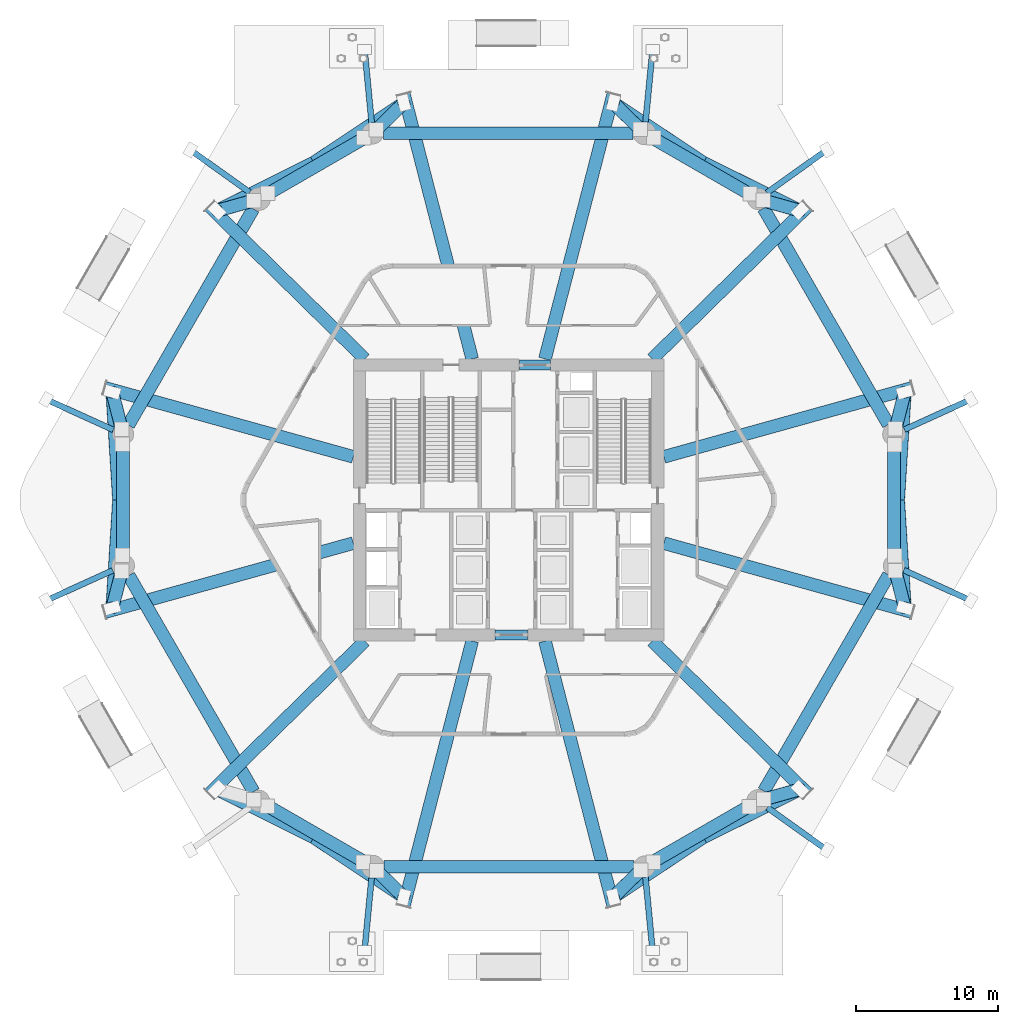
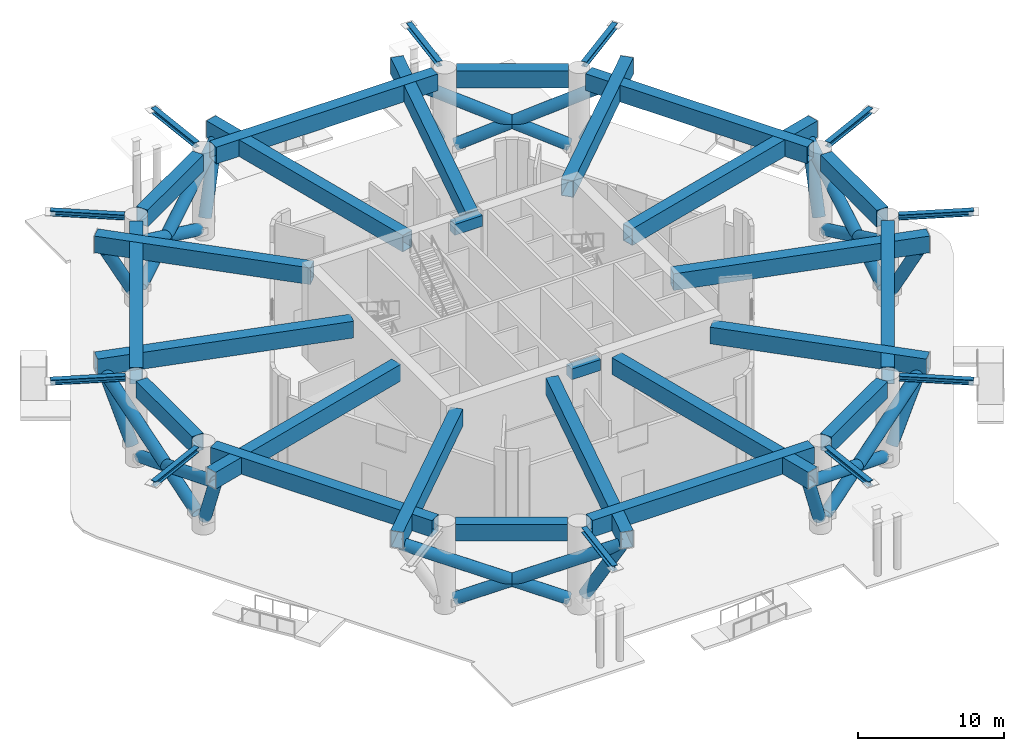
# One storey, part 4 of 17: 37 beams, 23 members.
"""IFC4 building model written with IfcOpenShell, lengths in metres."""

from ifc_helpers import new_model, si_unit, direction, frame, origin, origin_2d, place, context, subcontext, project, spatial, rectangle, hollow_rectangle, hollow_circle, i_section, extrude, material, material_profile, profile_set, type_object, element, save


model = new_model("IFC4")

# Units and contexts
model_context = context("Model", 3, precision=1e-05, world=origin(), true_north=direction((0.0, 1.0)))
body_context = subcontext(model_context, "Body", "Model", "MODEL_VIEW")
ifc_project = project(units=[si_unit("LENGTHUNIT", "METRE"), si_unit("AREAUNIT", "SQUARE_METRE"), si_unit("VOLUMEUNIT", "CUBIC_METRE"), si_unit("PLANEANGLEUNIT", "RADIAN"), si_unit("MASSUNIT", "GRAM", prefix="KILO")], contexts=[model_context])

# Site, building, storey
site_placement = place(None, origin())
site = spatial("IfcSite", under=ifc_project, at=site_placement, CompositionType="ELEMENT")
building_placement = place(site_placement, origin())
building = spatial("IfcBuilding", under=site, at=building_placement, Name="Zuhravey Tower", CompositionType="ELEMENT")
storey_placement = place(building_placement, origin())
storey = spatial("IfcBuildingStorey", under=building, at=storey_placement, Name="L01", CompositionType="ELEMENT", Elevation=0.0)

# Beams
ifc_material_1 = material(Name="Concrete C60/75", Category="concrete")
ifc_material_profile_1 = material_profile(ifc_material_1, rectangle(XDim=0.699951171875, YDim=0.89990234375, at=origin_2d()), Name="RC-700x900")
ifc_profile_set_1 = profile_set([ifc_material_profile_1], Name="Concrete C60/75")
beam_type_1 = type_object("IfcBeamType", Name="Core Coupling Beam RC700x900", PredefinedType="LINTEL", material=ifc_profile_set_1)
beam_1_placement = place(storey_placement, frame((35.052001953125, 22.5, 6.89990234375), z_axis=(1.0, 0.0, 0.0), x_axis=(0.0, 1.0, 0.0)))
element("IfcBeam", 1, at=beam_1_placement, inside=storey, type_object=beam_type_1, Name="L01 CB1 BM-L01-CB-S", PredefinedType="LINTEL", context=body_context, shape_type="SweptSolid", body=[
    extrude(rectangle(XDim=0.699951171875, YDim=0.89990234375, at=origin_2d()), origin(), (0.0, 0.0, 1.0), 2.2958984375),
])
beam_2_placement = place(storey_placement, frame((36.751953125, 41.5, 6.89990234375), z_axis=(1.0, 0.0, 0.0), x_axis=(0.0, 1.0, 0.0)))
element("IfcBeam", 2, at=beam_2_placement, inside=storey, type_object=beam_type_1, Name="L01 CB1 BM-L01-CB-N", PredefinedType="LINTEL", context=body_context, shape_type="SweptSolid", body=[
    extrude(rectangle(XDim=0.699951171875, YDim=0.89990234375, at=origin_2d()), origin(), (0.0, 0.0, 1.0), 2.196044921875),
])
ifc_material_2 = material(Name="Steel SM460", Category="steel")
ifc_material_profile_2 = material_profile(ifc_material_2, i_section(OverallWidth=0.406982421875, OverallDepth=0.427978515625, WebThickness=0.02001953125, FlangeThickness=0.034912109375, at=origin_2d()), Name="H-428x407x20x35")
ifc_profile_set_2 = profile_set([ifc_material_profile_2], Name="Steel SM460")
beam_type_2 = type_object("IfcBeamType", Name="Exoskeleton Node Tie Beam H428x407", PredefinedType="BEAM", material=ifc_profile_set_2)
beam_3_placement = place(storey_placement, frame((63.86376953125, 36.9541015625, 7.135986328125), z_axis=(0.910221070857, 0.414122689753, 0.0), x_axis=(-0.414122689753, 0.910221070857, 0.0)))
element("IfcBeam", 3, at=beam_3_placement, inside=storey, type_object=beam_type_2, Name="L01 Exoskeleton Node Tie NT1-01", PredefinedType="BEAM", context=body_context, shape_type="SweptSolid", body=[
    extrude(i_section(OverallWidth=0.406982421875, OverallDepth=0.427978515625, WebThickness=0.02001953125, FlangeThickness=0.034912109375, at=origin_2d()), origin(), (0.0, 0.0, 1.0), 5.11962890625),
])
beam_4_placement = place(storey_placement, frame((54.181640625, 53.624755859375, 7.135986328125), z_axis=(0.813752616474, 0.581211389411, 0.0), x_axis=(-0.581211389411, 0.813752616474, 0.0)))
element("IfcBeam", 4, at=beam_4_placement, inside=storey, type_object=beam_type_2, Name="L01 Exoskeleton Node Tie NT1-02", PredefinedType="BEAM", context=body_context, shape_type="SweptSolid", body=[
    extrude(i_section(OverallWidth=0.406982421875, OverallDepth=0.427978515625, WebThickness=0.02001953125, FlangeThickness=0.034912109375, at=origin_2d()), origin(), (0.0, 0.0, 1.0), 5.169677734375),
])
beam_5_placement = place(storey_placement, frame((45.6416015625, 58.60791015625, 7.135986328125), z_axis=(0.096424781264, 0.995340274257, 0.0), x_axis=(-0.995340274257, 0.096424781264, 0.0)))
element("IfcBeam", 5, at=beam_5_placement, inside=storey, type_object=beam_type_2, Name="L01 Exoskeleton Node Tie NT1-03", PredefinedType="BEAM", context=body_context, shape_type="SweptSolid", body=[
    extrude(i_section(OverallWidth=0.406982421875, OverallDepth=0.427978515625, WebThickness=0.02001953125, FlangeThickness=0.034912109375, at=origin_2d()), origin(), (0.0, 0.0, 1.0), 5.11962890625),
])
beam_6_placement = place(storey_placement, frame((26.36328125, 58.55810546875, 7.135986328125), z_axis=(-0.096435881761, 0.995339198821, 0.0), x_axis=(-0.995339198821, -0.096435881761, 0.0)))
element("IfcBeam", 6, at=beam_6_placement, inside=storey, type_object=beam_type_2, Name="L01 Exoskeleton Node Tie NT1-04", PredefinedType="BEAM", context=body_context, shape_type="SweptSolid", body=[
    extrude(i_section(OverallWidth=0.406982421875, OverallDepth=0.427978515625, WebThickness=0.02001953125, FlangeThickness=0.034912109375, at=origin_2d()), origin(), (0.0, 0.0, 1.0), 5.169677734375),
])
beam_7_placement = place(storey_placement, frame((17.77783203125, 53.65380859375, 7.135986328125), z_axis=(-0.813762468469, 0.581197595411, 0.0), x_axis=(-0.581197595411, -0.813762468469, 0.0)))
element("IfcBeam", 7, at=beam_7_placement, inside=storey, type_object=beam_type_2, Name="L01 Exoskeleton Node Tie NT1-05", PredefinedType="BEAM", context=body_context, shape_type="SweptSolid", body=[
    extrude(i_section(OverallWidth=0.406982421875, OverallDepth=0.427978515625, WebThickness=0.02001953125, FlangeThickness=0.034912109375, at=origin_2d()), origin(), (0.0, 0.0, 1.0), 5.11962890625),
])
beam_8_placement = place(storey_placement, frame((8.181640625, 36.933349609375, 7.135986328125), z_axis=(-0.910214382491, 0.414137390134, 0.0), x_axis=(-0.414137390134, -0.910214382491, 0.0)))
element("IfcBeam", 8, at=beam_8_placement, inside=storey, type_object=beam_type_2, Name="L01 Exoskeleton Node Tie NT1-06", PredefinedType="BEAM", context=body_context, shape_type="SweptSolid", body=[
    extrude(i_section(OverallWidth=0.406982421875, OverallDepth=0.427978515625, WebThickness=0.02001953125, FlangeThickness=0.034912109375, at=origin_2d()), origin(), (0.0, 0.0, 1.0), 5.16943359375),
])
for number, where, z_axis, x_axis, name in (
    (9, (8.13623046875, 27.0458984375, 7.135986328125), (-0.910221070857, -0.414122689753, 0.0), (0.414122689753, -0.910221070857, 0.0), "L01 Exoskeleton Node Tie NT1-07"),
    (10, (26.3583984375, 5.39208984375, 7.135986328125), (-0.096424781264, -0.995340274257, 0.0), (0.995340274257, -0.096424781264, 0.0), "L01 Exoskeleton Node Tie NT1-09"),
):
    element("IfcBeam", number, at=place(storey_placement, frame(where, z_axis=z_axis, x_axis=x_axis)), inside=storey, type_object=beam_type_2, Name=name, PredefinedType="BEAM", context=body_context, shape_type="SweptSolid", body=[
        extrude(i_section(OverallWidth=0.406982421875, OverallDepth=0.427978515625, WebThickness=0.02001953125, FlangeThickness=0.034912109375, at=origin_2d()), origin(), (0.0, 0.0, 1.0), 5.11962890625),
    ])
beam_9_placement = place(storey_placement, frame((45.63671875, 5.44189453125, 7.135986328125), z_axis=(0.096435881761, -0.995339198821, 0.0), x_axis=(0.995339198821, 0.096435881761, 0.0)))
element("IfcBeam", 11, at=beam_9_placement, inside=storey, type_object=beam_type_2, Name="L01 Exoskeleton Node Tie NT1-10", PredefinedType="BEAM", context=body_context, shape_type="SweptSolid", body=[
    extrude(i_section(OverallWidth=0.406982421875, OverallDepth=0.427978515625, WebThickness=0.02001953125, FlangeThickness=0.034912109375, at=origin_2d()), origin(), (0.0, 0.0, 1.0), 5.169677734375),
])
beam_10_placement = place(storey_placement, frame((54.22216796875, 10.34619140625, 7.135986328125), z_axis=(0.813762468469, -0.581197595411, 0.0), x_axis=(0.581197595411, 0.813762468469, 0.0)))
element("IfcBeam", 12, at=beam_10_placement, inside=storey, type_object=beam_type_2, Name="L01 Exoskeleton Node Tie NT1-11", PredefinedType="BEAM", context=body_context, shape_type="SweptSolid", body=[
    extrude(i_section(OverallWidth=0.406982421875, OverallDepth=0.427978515625, WebThickness=0.02001953125, FlangeThickness=0.034912109375, at=origin_2d()), origin(), (0.0, 0.0, 1.0), 5.11962890625),
])
beam_11_placement = place(storey_placement, frame((63.818359375, 27.066650390625, 7.135986328125), z_axis=(0.910214382491, -0.414137390134, 0.0), x_axis=(0.414137390134, 0.910214382491, 0.0)))
element("IfcBeam", 13, at=beam_11_placement, inside=storey, type_object=beam_type_2, Name="L01 Exoskeleton Node Tie NT1-12", PredefinedType="BEAM", context=body_context, shape_type="SweptSolid", body=[
    extrude(i_section(OverallWidth=0.406982421875, OverallDepth=0.427978515625, WebThickness=0.02001953125, FlangeThickness=0.034912109375, at=origin_2d()), origin(), (0.0, 0.0, 1.0), 5.16943359375),
])
ifc_material_profile_3 = material_profile(ifc_material_2, hollow_rectangle(XDim=0.89990234375, YDim=1.39990234375, WallThickness=0.0380859375, at=origin_2d()), Name="RHS-900x1400x38")
ifc_profile_set_3 = profile_set([ifc_material_profile_3], Name="Steel SM460")
beam_type_3 = type_object("IfcBeamType", Name="Stilt Transfer Box Girder RHS900x1400", PredefinedType="BEAM", material=ifc_profile_set_3)
beam_12_placement = place(storey_placement, frame((62.73046875, 37.31640625, 6.64990234375), z_axis=(-0.499989847241, 0.866031265403, 0.0), x_axis=(-0.866031265403, -0.499989847241, 0.0)))
element("IfcBeam", 14, at=beam_12_placement, inside=storey, type_object=beam_type_3, Name="L01 Stilt Ring Transfer Girder TG1-01", PredefinedType="BEAM", context=body_context, shape_type="SweptSolid", body=[
    extrude(hollow_rectangle(XDim=0.89990234375, YDim=1.39990234375, WallThickness=0.0380859375, at=origin_2d()), origin(), (0.0, 0.0, 1.0), 17.572021484375),
])
beam_13_placement = place(storey_placement, frame((52.915771484375, 53.56298828125, 6.64990234375), z_axis=(-0.866023722158, 0.50000291265, 0.0), x_axis=(-0.50000291265, -0.866023722158, 0.0)))
element("IfcBeam", 15, at=beam_13_placement, inside=storey, type_object=beam_type_3, Name="L01 Stilt Ring Transfer Girder TG1-02", PredefinedType="BEAM", context=body_context, shape_type="SweptSolid", body=[
    extrude(hollow_rectangle(XDim=0.89990234375, YDim=1.39990234375, WallThickness=0.0380859375, at=origin_2d()), origin(), (0.0, 0.0, 1.0), 7.68603515625),
])
beam_14_placement = place(storey_placement, frame((44.760986328125, 57.8076171875, 6.64990234375), z_axis=(-1.0, 0.0, 0.0), x_axis=(0.0, -1.0, 0.0)))
element("IfcBeam", 16, at=beam_14_placement, inside=storey, type_object=beam_type_3, Name="L01 Stilt Ring Transfer Girder TG1-03", PredefinedType="BEAM", context=body_context, shape_type="SweptSolid", body=[
    extrude(hollow_rectangle(XDim=0.89990234375, YDim=1.39990234375, WallThickness=0.0380859375, at=origin_2d()), origin(), (0.0, 0.0, 1.0), 17.572021484375),
])
beam_15_placement = place(storey_placement, frame((25.783935546875, 57.43115234375, 6.64990234375), z_axis=(-0.866017909109, -0.500012980935, 0.0), x_axis=(0.500012980935, -0.866017909109, 0.0)))
element("IfcBeam", 17, at=beam_15_placement, inside=storey, type_object=beam_type_3, Name="L01 Stilt Ring Transfer Girder TG1-04", PredefinedType="BEAM", context=body_context, shape_type="SweptSolid", body=[
    extrude(hollow_rectangle(XDim=0.89990234375, YDim=1.39990234375, WallThickness=0.0380859375, at=origin_2d()), origin(), (0.0, 0.0, 1.0), 7.686279296875),
])
beam_16_placement = place(storey_placement, frame((18.030517578125, 52.490966796875, 6.64990234375), z_axis=(-0.500006283628, -0.8660217759, 0.0), x_axis=(0.8660217759, -0.500006283628, 0.0)))
element("IfcBeam", 18, at=beam_16_placement, inside=storey, type_object=beam_type_3, Name="L01 Stilt Ring Transfer Girder TG1-05", PredefinedType="BEAM", context=body_context, shape_type="SweptSolid", body=[
    extrude(hollow_rectangle(XDim=0.89990234375, YDim=1.39990234375, WallThickness=0.0380859375, at=origin_2d()), origin(), (0.0, 0.0, 1.0), 17.572021484375),
])
beam_17_placement = place(storey_placement, frame((8.867919921875, 35.8681640625, 6.64990234375), z_axis=(0.0, -1.0, 0.0), x_axis=(1.0, 0.0, 0.0)))
element("IfcBeam", 19, at=beam_17_placement, inside=storey, type_object=beam_type_3, Name="L01 Stilt Ring Transfer Girder TG1-06", PredefinedType="BEAM", context=body_context, shape_type="SweptSolid", body=[
    extrude(hollow_rectangle(XDim=0.89990234375, YDim=1.39990234375, WallThickness=0.0380859375, at=origin_2d()), origin(), (0.0, 0.0, 1.0), 7.686279296875),
])
beam_18_placement = place(storey_placement, frame((9.26953125, 26.68359375, 6.64990234375), z_axis=(0.499989847241, -0.866031265403, 0.0), x_axis=(0.866031265403, 0.499989847241, 0.0)))
element("IfcBeam", 20, at=beam_18_placement, inside=storey, type_object=beam_type_3, Name="L01 Stilt Ring Transfer Girder TG1-07", PredefinedType="BEAM", context=body_context, shape_type="SweptSolid", body=[
    extrude(hollow_rectangle(XDim=0.89990234375, YDim=1.39990234375, WallThickness=0.0380859375, at=origin_2d()), origin(), (0.0, 0.0, 1.0), 17.572021484375),
])
beam_19_placement = place(storey_placement, frame((19.084228515625, 10.43701171875, 6.64990234375), z_axis=(0.866023722158, -0.50000291265, 0.0), x_axis=(0.50000291265, 0.866023722158, 0.0)))
element("IfcBeam", 21, at=beam_19_placement, inside=storey, type_object=beam_type_3, Name="L01 Stilt Ring Transfer Girder TG1-08", PredefinedType="BEAM", context=body_context, shape_type="SweptSolid", body=[
    extrude(hollow_rectangle(XDim=0.89990234375, YDim=1.39990234375, WallThickness=0.0380859375, at=origin_2d()), origin(), (0.0, 0.0, 1.0), 7.68603515625),
])
beam_20_placement = place(storey_placement, frame((27.239013671875, 6.1923828125, 6.64990234375), z_axis=(1.0, 0.0, 0.0), x_axis=(0.0, 1.0, 0.0)))
element("IfcBeam", 22, at=beam_20_placement, inside=storey, type_object=beam_type_3, Name="L01 Stilt Ring Transfer Girder TG1-09", PredefinedType="BEAM", context=body_context, shape_type="SweptSolid", body=[
    extrude(hollow_rectangle(XDim=0.89990234375, YDim=1.39990234375, WallThickness=0.0380859375, at=origin_2d()), origin(), (0.0, 0.0, 1.0), 17.572021484375),
])
beam_21_placement = place(storey_placement, frame((46.216064453125, 6.56884765625, 6.64990234375), z_axis=(0.866017909109, 0.500012980935, 0.0), x_axis=(-0.500012980935, 0.866017909109, 0.0)))
element("IfcBeam", 23, at=beam_21_placement, inside=storey, type_object=beam_type_3, Name="L01 Stilt Ring Transfer Girder TG1-10", PredefinedType="BEAM", context=body_context, shape_type="SweptSolid", body=[
    extrude(hollow_rectangle(XDim=0.89990234375, YDim=1.39990234375, WallThickness=0.0380859375, at=origin_2d()), origin(), (0.0, 0.0, 1.0), 7.686279296875),
])
beam_22_placement = place(storey_placement, frame((53.969482421875, 11.509033203125, 6.64990234375), z_axis=(0.500006283628, 0.8660217759, 0.0), x_axis=(-0.8660217759, 0.500006283628, 0.0)))
element("IfcBeam", 24, at=beam_22_placement, inside=storey, type_object=beam_type_3, Name="L01 Stilt Ring Transfer Girder TG1-11", PredefinedType="BEAM", context=body_context, shape_type="SweptSolid", body=[
    extrude(hollow_rectangle(XDim=0.89990234375, YDim=1.39990234375, WallThickness=0.0380859375, at=origin_2d()), origin(), (0.0, 0.0, 1.0), 17.572021484375),
])
beam_23_placement = place(storey_placement, frame((63.132080078125, 28.1318359375, 6.64990234375), z_axis=(0.0, 1.0, 0.0), x_axis=(-1.0, 0.0, 0.0)))
element("IfcBeam", 25, at=beam_23_placement, inside=storey, type_object=beam_type_3, Name="L01 Stilt Ring Transfer Girder TG1-12", PredefinedType="BEAM", context=body_context, shape_type="SweptSolid", body=[
    extrude(hollow_rectangle(XDim=0.89990234375, YDim=1.39990234375, WallThickness=0.0380859375, at=origin_2d()), origin(), (0.0, 0.0, 1.0), 7.686279296875),
])
beam_24_placement = place(storey_placement, frame((46.927978515625, 35.03759765625, 6.64990234375), z_axis=(0.963468975783, 0.267819963229, 0.0), x_axis=(-0.267819963229, 0.963468975783, 0.0)))
element("IfcBeam", 26, at=beam_24_placement, inside=storey, type_object=beam_type_3, Name="L01 Radial Transfer Girder TG1-R01", PredefinedType="BEAM", context=body_context, shape_type="SweptSolid", body=[
    extrude(hollow_rectangle(XDim=0.89990234375, YDim=1.39990234375, WallThickness=0.0380859375, at=origin_2d()), origin(), (0.0, 0.0, 1.0), 18.16162109375),
])
beam_25_placement = place(storey_placement, frame((46.114990234375, 41.927978515625, 6.64990234375), z_axis=(0.713661089407, 0.700491148742, 0.0), x_axis=(-0.700491148742, 0.713661089407, 0.0)))
element("IfcBeam", 27, at=beam_25_placement, inside=storey, type_object=beam_type_3, Name="L01 Radial Transfer Girder TG1-R02", PredefinedType="BEAM", context=body_context, shape_type="SweptSolid", body=[
    extrude(hollow_rectangle(XDim=0.89990234375, YDim=1.39990234375, WallThickness=0.0380859375, at=origin_2d()), origin(), (0.0, 0.0, 1.0), 15.330810546875),
])
for number, where, z_axis, x_axis, name in (
    (28, (38.561279296875, 41.927978515625, 6.64990234375), (0.249797855392, 0.968298007558, 0.0), (-0.968298007558, 0.249797855392, 0.0), "L01 Radial Transfer Girder TG1-R03"),
    (29, (33.438720703125, 41.927978515625, 6.64990234375), (-0.249797855392, 0.968298007558, 0.0), (-0.968298007558, -0.249797855392, 0.0), "L01 Radial Transfer Girder TG1-R04"),
):
    element("IfcBeam", number, at=place(storey_placement, frame(where, z_axis=z_axis, x_axis=x_axis)), inside=storey, type_object=beam_type_3, Name=name, PredefinedType="BEAM", context=body_context, shape_type="SweptSolid", body=[
        extrude(hollow_rectangle(XDim=0.89990234375, YDim=1.39990234375, WallThickness=0.0380859375, at=origin_2d()), origin(), (0.0, 0.0, 1.0), 19.2509765625),
    ])
beam_26_placement = place(storey_placement, frame((25.885009765625, 41.927978515625, 6.64990234375), z_axis=(-0.713661089407, 0.700491148742, 0.0), x_axis=(-0.700491148742, -0.713661089407, 0.0)))
element("IfcBeam", 30, at=beam_26_placement, inside=storey, type_object=beam_type_3, Name="L01 Radial Transfer Girder TG1-R05", PredefinedType="BEAM", context=body_context, shape_type="SweptSolid", body=[
    extrude(hollow_rectangle(XDim=0.89990234375, YDim=1.39990234375, WallThickness=0.0380859375, at=origin_2d()), origin(), (0.0, 0.0, 1.0), 15.330810546875),
])
for number, where, z_axis, x_axis, name in (
    (31, (25.072021484375, 35.03759765625, 6.64990234375), (-0.963468975783, 0.267819963229, 0.0), (-0.267819963229, -0.963468975783, 0.0), "L01 Radial Transfer Girder TG1-R06"),
    (32, (25.072021484375, 28.96240234375, 6.64990234375), (-0.963468975783, -0.267819963229, 0.0), (0.267819963229, -0.963468975783, 0.0), "L01 Radial Transfer Girder TG1-R07"),
):
    element("IfcBeam", number, at=place(storey_placement, frame(where, z_axis=z_axis, x_axis=x_axis)), inside=storey, type_object=beam_type_3, Name=name, PredefinedType="BEAM", context=body_context, shape_type="SweptSolid", body=[
        extrude(hollow_rectangle(XDim=0.89990234375, YDim=1.39990234375, WallThickness=0.0380859375, at=origin_2d()), origin(), (0.0, 0.0, 1.0), 18.16162109375),
    ])
beam_27_placement = place(storey_placement, frame((25.885009765625, 22.072021484375, 6.64990234375), z_axis=(-0.713661089407, -0.700491148742, 0.0), x_axis=(0.700491148742, -0.713661089407, 0.0)))
element("IfcBeam", 33, at=beam_27_placement, inside=storey, type_object=beam_type_3, Name="L01 Radial Transfer Girder TG1-R08", PredefinedType="BEAM", context=body_context, shape_type="SweptSolid", body=[
    extrude(hollow_rectangle(XDim=0.89990234375, YDim=1.39990234375, WallThickness=0.0380859375, at=origin_2d()), origin(), (0.0, 0.0, 1.0), 15.330810546875),
])
for number, where, z_axis, x_axis, name in (
    (34, (33.438720703125, 22.072021484375, 6.64990234375), (-0.249797855392, -0.968298007558, 0.0), (0.968298007558, -0.249797855392, 0.0), "L01 Radial Transfer Girder TG1-R09"),
    (35, (38.561279296875, 22.072021484375, 6.64990234375), (0.249797855392, -0.968298007558, 0.0), (0.968298007558, 0.249797855392, 0.0), "L01 Radial Transfer Girder TG1-R10"),
):
    element("IfcBeam", number, at=place(storey_placement, frame(where, z_axis=z_axis, x_axis=x_axis)), inside=storey, type_object=beam_type_3, Name=name, PredefinedType="BEAM", context=body_context, shape_type="SweptSolid", body=[
        extrude(hollow_rectangle(XDim=0.89990234375, YDim=1.39990234375, WallThickness=0.0380859375, at=origin_2d()), origin(), (0.0, 0.0, 1.0), 19.2509765625),
    ])
beam_28_placement = place(storey_placement, frame((46.114990234375, 22.072021484375, 6.64990234375), z_axis=(0.713661089407, -0.700491148742, 0.0), x_axis=(0.700491148742, 0.713661089407, 0.0)))
element("IfcBeam", 36, at=beam_28_placement, inside=storey, type_object=beam_type_3, Name="L01 Radial Transfer Girder TG1-R11", PredefinedType="BEAM", context=body_context, shape_type="SweptSolid", body=[
    extrude(hollow_rectangle(XDim=0.89990234375, YDim=1.39990234375, WallThickness=0.0380859375, at=origin_2d()), origin(), (0.0, 0.0, 1.0), 15.330810546875),
])
beam_29_placement = place(storey_placement, frame((46.927978515625, 28.96240234375, 6.64990234375), z_axis=(0.963468975783, -0.267819963229, 0.0), x_axis=(0.267819963229, 0.963468975783, 0.0)))
element("IfcBeam", 37, at=beam_29_placement, inside=storey, type_object=beam_type_3, Name="L01 Radial Transfer Girder TG1-R12", PredefinedType="BEAM", context=body_context, shape_type="SweptSolid", body=[
    extrude(hollow_rectangle(XDim=0.89990234375, YDim=1.39990234375, WallThickness=0.0380859375, at=origin_2d()), origin(), (0.0, 0.0, 1.0), 18.16162109375),
])

# Members
ifc_material_profile_4 = material_profile(ifc_material_2, hollow_circle(Radius=0.457275390625, WallThickness=0.0380859375, at=origin_2d()), Name="CHS-914.4x38")
ifc_profile_set_4 = profile_set([ifc_material_profile_4], Name="Steel SM460")
member_type = type_object("IfcMemberType", Name="Stilt V-Strut CHS914x38", PredefinedType="STRUT", material=ifc_profile_set_4)
member_1_placement = place(storey_placement, frame((63.22998046875, 37.005615234375, 1.249267578125), z_axis=(0.121948206927, 0.478391335105, 0.869638065705), x_axis=(-0.969011957208, 0.247013819024, 0.0)))
element("IfcMember", 38, at=member_1_placement, inside=storey, type_object=member_type, Name="L01 Stilt V-Strut STS1-01", PredefinedType="STRUT", context=body_context, shape_type="SweptSolid", body=[
    extrude(hollow_circle(Radius=0.457275390625, WallThickness=0.0380859375, at=origin_2d()), origin(), (0.0, 0.0, 1.0), 5.4013671875),
])
member_2_placement = place(storey_placement, frame((63.174560546875, 28.0673828125, 0.8544921875), z_axis=(0.056619823802, 0.913115599985, 0.40375004225), x_axis=(-0.998083074024, 0.061888426604, 0.0)))
element("IfcMember", 39, at=member_2_placement, inside=storey, type_object=member_type, Name="L01 Stilt V-Strut STS1-02", PredefinedType="STRUT", context=body_context, shape_type="SweptSolid", body=[
    extrude(hollow_circle(Radius=0.457275390625, WallThickness=0.0380859375, at=origin_2d()), origin(), (0.0, 0.0, 1.0), 12.61669921875),
])
member_3_placement = place(storey_placement, frame((53.92626953125, 53.085693359375, 1.205810546875), z_axis=(0.475262438416, -0.133594784564, 0.869642482959), x_axis=(0.270608964985, 0.9626893518, 0.0)))
element("IfcMember", 40, at=member_3_placement, inside=storey, type_object=member_type, Name="L01 Stilt V-Strut STS1-03", PredefinedType="STRUT", context=body_context, shape_type="SweptSolid", body=[
    extrude(hollow_circle(Radius=0.457275390625, WallThickness=0.0380859375, at=origin_2d()), origin(), (0.0, 0.0, 1.0), 5.451416015625),
])
member_4_placement = place(storey_placement, frame((46.22265625, 57.47998046875, 0.87451171875), z_axis=(0.819075835794, -0.407536855015, 0.403767862792), x_axis=(0.445462911579, 0.895300393392, 0.0)))
element("IfcMember", 41, at=member_4_placement, inside=storey, type_object=member_type, Name="L01 Stilt V-Strut STS1-04", PredefinedType="STRUT", context=body_context, shape_type="SweptSolid", body=[
    extrude(hollow_circle(Radius=0.457275390625, WallThickness=0.0380859375, at=origin_2d()), origin(), (0.0, 0.0, 1.0), 12.566650390625),
])
member_5_placement = place(storey_placement, frame((45.280029296875, 58.084716796875, 1.249267578125), z_axis=(-0.353366947038, 0.344779108724, 0.869631627144), x_axis=(-0.698355884683, -0.715750695654, 0.0)))
element("IfcMember", 42, at=member_5_placement, inside=storey, type_object=member_type, Name="L01 Stilt V-Strut STS1-05", PredefinedType="STRUT", context=body_context, shape_type="SweptSolid", body=[
    extrude(hollow_circle(Radius=0.457275390625, WallThickness=0.0380859375, at=origin_2d()), origin(), (0.0, 0.0, 1.0), 5.4013671875),
])
member_6_placement = place(storey_placement, frame((52.9931640625, 53.567626953125, 0.8544921875), z_axis=(-0.762479368147, 0.505584735838, 0.403744087311), x_axis=(-0.552628952788, -0.833427405681, 0.0)))
element("IfcMember", 43, at=member_6_placement, inside=storey, type_object=member_type, Name="L01 Stilt V-Strut STS1-06", PredefinedType="STRUT", context=body_context, shape_type="SweptSolid", body=[
    extrude(hollow_circle(Radius=0.457275390625, WallThickness=0.0380859375, at=origin_2d()), origin(), (0.0, 0.0, 1.0), 12.616943359375),
])
member_7_placement = place(storey_placement, frame((26.702392578125, 58.067626953125, 1.205810546875), z_axis=(0.353357179516, 0.344758373626, 0.869643816456), x_axis=(-0.698344257035, 0.715762040531, 0.0)))
element("IfcMember", 44, at=member_7_placement, inside=storey, type_object=member_type, Name="L01 Stilt V-Strut STS1-07", PredefinedType="STRUT", context=body_context, shape_type="SweptSolid", body=[
    extrude(hollow_circle(Radius=0.457275390625, WallThickness=0.0380859375, at=origin_2d()), origin(), (0.0, 0.0, 1.0), 5.451416015625),
])
member_8_placement = place(storey_placement, frame((19.044921875, 53.593017578125, 0.87451171875), z_axis=(0.762479944406, 0.505574247687, 0.403756132404), x_axis=(-0.552620699652, 0.833432878111, 0.0)))
element("IfcMember", 45, at=member_8_placement, inside=storey, type_object=member_type, Name="L01 Stilt V-Strut STS1-08", PredefinedType="STRUT", context=body_context, shape_type="SweptSolid", body=[
    extrude(hollow_circle(Radius=0.457275390625, WallThickness=0.0380859375, at=origin_2d()), origin(), (0.0, 0.0, 1.0), 12.56689453125),
])
member_9_placement = place(storey_placement, frame((18.0498046875, 53.0791015625, 1.249267578125), z_axis=(-0.475236171607, -0.133612147924, 0.869654169842), x_axis=(0.270655422993, -0.96267629139, 0.0)))
element("IfcMember", 46, at=member_9_placement, inside=storey, type_object=member_type, Name="L01 Stilt V-Strut STS1-09", PredefinedType="STRUT", context=body_context, shape_type="SweptSolid", body=[
    extrude(hollow_circle(Radius=0.457275390625, WallThickness=0.0380859375, at=origin_2d()), origin(), (0.0, 0.0, 1.0), 5.4013671875),
])
member_10_placement = place(storey_placement, frame((25.818359375, 57.500244140625, 0.8544921875), z_axis=(-0.819084869293, -0.40752994111, 0.40375651573), x_axis=(0.445452915888, -0.895305366748, 0.0)))
element("IfcMember", 47, at=member_10_placement, inside=storey, type_object=member_type, Name="L01 Stilt V-Strut STS1-10", PredefinedType="STRUT", context=body_context, shape_type="SweptSolid", body=[
    extrude(hollow_circle(Radius=0.457275390625, WallThickness=0.0380859375, at=origin_2d()), origin(), (0.0, 0.0, 1.0), 12.616455078125),
])
member_11_placement = place(storey_placement, frame((8.776123046875, 36.981689453125, 1.205810546875), z_axis=(-0.121949727574, 0.478394046987, 0.869636360643), x_axis=(-0.969011555107, -0.24701539642, 0.0)))
element("IfcMember", 48, at=member_11_placement, inside=storey, type_object=member_type, Name="L01 Stilt V-Strut STS1-11", PredefinedType="STRUT", context=body_context, shape_type="SweptSolid", body=[
    extrude(hollow_circle(Radius=0.457275390625, WallThickness=0.0380859375, at=origin_2d()), origin(), (0.0, 0.0, 1.0), 5.451416015625),
])
member_12_placement = place(storey_placement, frame((8.822509765625, 28.113037109375, 0.87451171875), z_axis=(-0.056611683559, 0.913111097796, 0.40376136562), x_axis=(-0.998083604751, -0.061879866902, 0.0)))
element("IfcMember", 49, at=member_12_placement, inside=storey, type_object=member_type, Name="L01 Stilt V-Strut STS1-12", PredefinedType="STRUT", context=body_context, shape_type="SweptSolid", body=[
    extrude(hollow_circle(Radius=0.457275390625, WallThickness=0.0380859375, at=origin_2d()), origin(), (0.0, 0.0, 1.0), 12.566650390625),
])
member_13_placement = place(storey_placement, frame((8.77001953125, 26.994384765625, 1.249267578125), z_axis=(-0.121948206927, -0.478391335105, 0.869638065705), x_axis=(0.969011957208, -0.247013819024, 0.0)))
element("IfcMember", 50, at=member_13_placement, inside=storey, type_object=member_type, Name="L01 Stilt V-Strut STS1-13", PredefinedType="STRUT", context=body_context, shape_type="SweptSolid", body=[
    extrude(hollow_circle(Radius=0.457275390625, WallThickness=0.0380859375, at=origin_2d()), origin(), (0.0, 0.0, 1.0), 5.4013671875),
])
member_14_placement = place(storey_placement, frame((8.825439453125, 35.9326171875, 0.8544921875), z_axis=(-0.056619823802, -0.913115599985, 0.40375004225), x_axis=(0.998083074024, -0.061888426604, 0.0)))
element("IfcMember", 51, at=member_14_placement, inside=storey, type_object=member_type, Name="L01 Stilt V-Strut STS1-14", PredefinedType="STRUT", context=body_context, shape_type="SweptSolid", body=[
    extrude(hollow_circle(Radius=0.457275390625, WallThickness=0.0380859375, at=origin_2d()), origin(), (0.0, 0.0, 1.0), 12.61669921875),
])
member_15_placement = place(storey_placement, frame((25.77734375, 6.52001953125, 0.87451171875), z_axis=(-0.819075835794, 0.407536855015, 0.403767862792), x_axis=(-0.445462911579, -0.895300393392, 0.0)))
element("IfcMember", 52, at=member_15_placement, inside=storey, type_object=member_type, Name="L01 Stilt V-Strut STS1-16", PredefinedType="STRUT", context=body_context, shape_type="SweptSolid", body=[
    extrude(hollow_circle(Radius=0.457275390625, WallThickness=0.0380859375, at=origin_2d()), origin(), (0.0, 0.0, 1.0), 12.566650390625),
])
member_16_placement = place(storey_placement, frame((26.719970703125, 5.915283203125, 1.249267578125), z_axis=(0.353366947038, -0.344779108724, 0.869631627144), x_axis=(0.698355884683, 0.715750695654, 0.0)))
element("IfcMember", 53, at=member_16_placement, inside=storey, type_object=member_type, Name="L01 Stilt V-Strut STS1-17", PredefinedType="STRUT", context=body_context, shape_type="SweptSolid", body=[
    extrude(hollow_circle(Radius=0.457275390625, WallThickness=0.0380859375, at=origin_2d()), origin(), (0.0, 0.0, 1.0), 5.4013671875),
])
member_17_placement = place(storey_placement, frame((19.0068359375, 10.432373046875, 0.8544921875), z_axis=(0.762479368147, -0.505584735838, 0.403744087311), x_axis=(0.552628952788, 0.833427405681, 0.0)))
element("IfcMember", 54, at=member_17_placement, inside=storey, type_object=member_type, Name="L01 Stilt V-Strut STS1-18", PredefinedType="STRUT", context=body_context, shape_type="SweptSolid", body=[
    extrude(hollow_circle(Radius=0.457275390625, WallThickness=0.0380859375, at=origin_2d()), origin(), (0.0, 0.0, 1.0), 12.616943359375),
])
member_18_placement = place(storey_placement, frame((45.297607421875, 5.932373046875, 1.205810546875), z_axis=(-0.353357179516, -0.344758373626, 0.869643816456), x_axis=(0.698344257035, -0.715762040531, 0.0)))
element("IfcMember", 55, at=member_18_placement, inside=storey, type_object=member_type, Name="L01 Stilt V-Strut STS1-19", PredefinedType="STRUT", context=body_context, shape_type="SweptSolid", body=[
    extrude(hollow_circle(Radius=0.457275390625, WallThickness=0.0380859375, at=origin_2d()), origin(), (0.0, 0.0, 1.0), 5.451416015625),
])
member_19_placement = place(storey_placement, frame((52.955078125, 10.406982421875, 0.87451171875), z_axis=(-0.762479944406, -0.505574247687, 0.403756132404), x_axis=(0.552620699652, -0.833432878111, 0.0)))
element("IfcMember", 56, at=member_19_placement, inside=storey, type_object=member_type, Name="L01 Stilt V-Strut STS1-20", PredefinedType="STRUT", context=body_context, shape_type="SweptSolid", body=[
    extrude(hollow_circle(Radius=0.457275390625, WallThickness=0.0380859375, at=origin_2d()), origin(), (0.0, 0.0, 1.0), 12.56689453125),
])
member_20_placement = place(storey_placement, frame((53.9501953125, 10.9208984375, 1.249267578125), z_axis=(0.475236171607, 0.133612147924, 0.869654169842), x_axis=(-0.270655422993, 0.96267629139, 0.0)))
element("IfcMember", 57, at=member_20_placement, inside=storey, type_object=member_type, Name="L01 Stilt V-Strut STS1-21", PredefinedType="STRUT", context=body_context, shape_type="SweptSolid", body=[
    extrude(hollow_circle(Radius=0.457275390625, WallThickness=0.0380859375, at=origin_2d()), origin(), (0.0, 0.0, 1.0), 5.4013671875),
])
member_21_placement = place(storey_placement, frame((46.181640625, 6.499755859375, 0.8544921875), z_axis=(0.819084869293, 0.40752994111, 0.40375651573), x_axis=(-0.445452915888, 0.895305366748, 0.0)))
element("IfcMember", 58, at=member_21_placement, inside=storey, type_object=member_type, Name="L01 Stilt V-Strut STS1-22", PredefinedType="STRUT", context=body_context, shape_type="SweptSolid", body=[
    extrude(hollow_circle(Radius=0.457275390625, WallThickness=0.0380859375, at=origin_2d()), origin(), (0.0, 0.0, 1.0), 12.616455078125),
])
member_22_placement = place(storey_placement, frame((63.223876953125, 27.018310546875, 1.205810546875), z_axis=(0.121949727574, -0.478394046987, 0.869636360643), x_axis=(0.969011555107, 0.24701539642, 0.0)))
element("IfcMember", 59, at=member_22_placement, inside=storey, type_object=member_type, Name="L01 Stilt V-Strut STS1-23", PredefinedType="STRUT", context=body_context, shape_type="SweptSolid", body=[
    extrude(hollow_circle(Radius=0.457275390625, WallThickness=0.0380859375, at=origin_2d()), origin(), (0.0, 0.0, 1.0), 5.451416015625),
])
member_23_placement = place(storey_placement, frame((63.177490234375, 35.886962890625, 0.87451171875), z_axis=(0.056611683559, -0.913111097796, 0.40376136562), x_axis=(0.998083604751, 0.061879866902, 0.0)))
element("IfcMember", 60, at=member_23_placement, inside=storey, type_object=member_type, Name="L01 Stilt V-Strut STS1-24", PredefinedType="STRUT", context=body_context, shape_type="SweptSolid", body=[
    extrude(hollow_circle(Radius=0.457275390625, WallThickness=0.0380859375, at=origin_2d()), origin(), (0.0, 0.0, 1.0), 12.566650390625),
])

save(model, "model.ifc")
